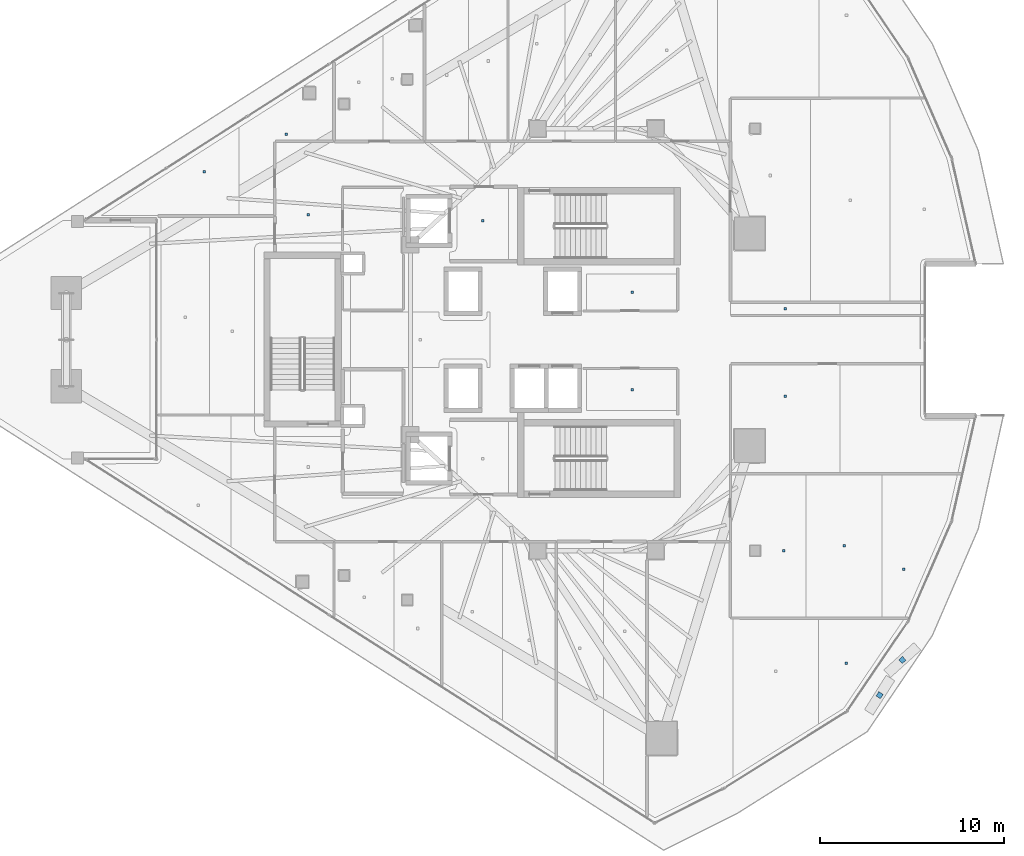
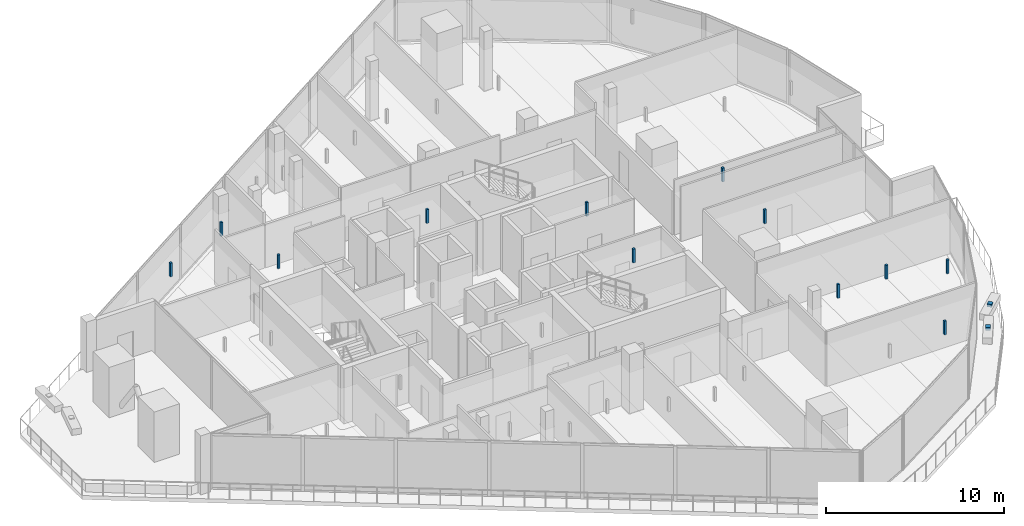
# One storey, part 25 of 32: 14 discrete accessories.
"""IFC4 building model written with IfcOpenShell, lengths in metres."""

from ifc_helpers import new_model, si_unit, direction, frame, origin, origin_2d, place, context, subcontext, project, spatial, rectangle, extrude, material, type_object, element, save


model = new_model("IFC4")

# Units and contexts
model_context = context("Model", 3, precision=1e-05, world=origin(), true_north=direction((0.0, 1.0)))
body_context = subcontext(model_context, "Body", "Model", "MODEL_VIEW")
ifc_project = project(units=[si_unit("LENGTHUNIT", "METRE"), si_unit("AREAUNIT", "SQUARE_METRE"), si_unit("VOLUMEUNIT", "CUBIC_METRE"), si_unit("PLANEANGLEUNIT", "RADIAN"), si_unit("MASSUNIT", "GRAM", prefix="KILO")], contexts=[model_context])

# Site, building, storey
site_placement = place(None, origin())
site = spatial("IfcSite", under=ifc_project, at=site_placement, CompositionType="ELEMENT")
building_placement = place(site_placement, origin())
building = spatial("IfcBuilding", under=site, at=building_placement, Name="Qorvath Tower", CompositionType="ELEMENT")
storey_placement = place(building_placement, frame((0.0, 0.0, 233.39990234375)))
storey = spatial("IfcBuildingStorey", under=building, at=storey_placement, Name="L54", CompositionType="ELEMENT", Elevation=233.39990234375)

# Discrete accessories
ifc_material = material(Name="Galvanised steel bracket", Category="steel")
discrete_accessory_type = type_object("IfcDiscreteAccessoryType", Name="DA-BRACKET", PredefinedType="BRACKET", material=ifc_material)
for number, where, z_axis, x_axis, name in (
    (1, (-5.04736328125, -19.285400390625, 3.64013671875), (0.0, 0.0, 1.0), (0.53340194448, 0.845861906948, 0.0), "Louvre Wave Support Bracket L54-03"),
    (2, (-3.81640625, -17.37939453125, 3.64013671875), (0.0, 0.0, 1.0), (0.74064513261, 0.671896411317, 0.0), "Louvre Wave Support Bracket L54-04"),
):
    element("IfcDiscreteAccessory", number, at=place(storey_placement, frame(where, z_axis=z_axis, x_axis=x_axis)), inside=storey, type_object=discrete_accessory_type, Name=name, PredefinedType="NOTDEFINED", context=body_context, shape_type="SweptSolid", body=[
        extrude(rectangle(XDim=0.280029296875, YDim=0.280029296875, at=origin_2d()), origin(), (0.0, 0.0, 1.0), 0.199951171875),
    ])
for number, where, z_axis, x_axis, name in (
    (3, (-26.590087890625, 6.449951171875, 2.85986328125), (0.0, 0.0, 1.0), (1.0, 0.0, 0.0), "Acoustic Ceiling Suspension Hanger T1-L54-001"),
    (4, (-18.472412109375, 2.5625, 2.85986328125), (0.0, 0.0, 1.0), (1.0, 0.0, 0.0), "Acoustic Ceiling Suspension Hanger T1-L54-003"),
    (5, (-18.472412109375, -2.70751953125, 2.85986328125), (0.0, 0.0, 1.0), (1.0, 0.0, 0.0), "Acoustic Ceiling Suspension Hanger T1-L54-004"),
    (6, (-36.040283203125, 6.782470703125, 2.85986328125), (0.0, 0.0, 1.0), (1.0, 0.0, 0.0), "Acoustic Ceiling Suspension Hanger T1-L54-008"),
    (7, (-6.85107421875, -17.560302734375, 2.85986328125), (0.0, 0.0, 1.0), (1.0, 0.0, 0.0), "Acoustic Ceiling Suspension Hanger T1-L54-027"),
    (8, (-10.256103515625, -11.449951171875, 2.85986328125), (0.0, 0.0, 1.0), (1.0, 0.0, 0.0), "Acoustic Ceiling Suspension Hanger T1-L54-028"),
    (9, (-6.97607421875, -11.18798828125, 2.85986328125), (0.0, 0.0, 1.0), (1.0, 0.0, 0.0), "Acoustic Ceiling Suspension Hanger T1-L54-029"),
    (10, (-3.732666015625, -12.44677734375, 2.85986328125), (0.0, 0.0, 1.0), (1.0, 0.0, 0.0), "Acoustic Ceiling Suspension Hanger T1-L54-030"),
    (11, (-10.165771484375, -3.064208984375, 2.85986328125), (0.0, 0.0, 1.0), (1.0, 0.0, 0.0), "Acoustic Ceiling Suspension Hanger T1-L54-031"),
    (12, (-10.165771484375, 1.673095703125, 2.85986328125), (0.0, 0.0, 1.0), (1.0, 0.0, 0.0), "Acoustic Ceiling Suspension Hanger T1-L54-032"),
    (13, (-41.68115234375, 9.12158203125, 2.85986328125), (0.0, 0.0, 1.0), (1.0, 0.0, 0.0), "Acoustic Ceiling Suspension Hanger T1-L54-041"),
    (14, (-37.2373046875, 11.13720703125, 2.85986328125), (0.0, 0.0, 1.0), (1.0, 0.0, 0.0), "Acoustic Ceiling Suspension Hanger T1-L54-042"),
):
    element("IfcDiscreteAccessory", number, at=place(storey_placement, frame(where, z_axis=z_axis, x_axis=x_axis)), inside=storey, type_object=discrete_accessory_type, Name=name, PredefinedType="NOTDEFINED", context=body_context, shape_type="SweptSolid", body=[
        extrude(rectangle(XDim=0.139892578125, YDim=0.139892578125, at=origin_2d()), origin(), (0.0, 0.0, 1.0), 0.949951171875),
    ])

save(model, "model.ifc")
